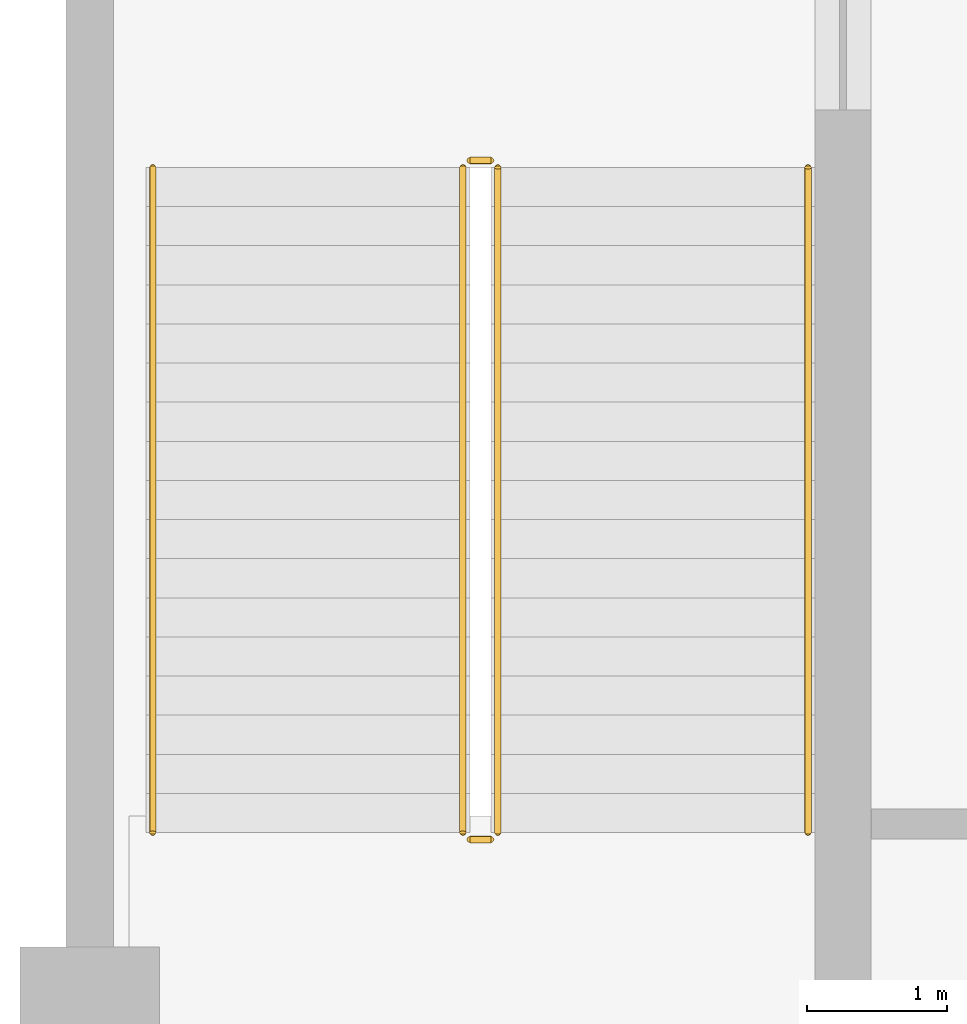
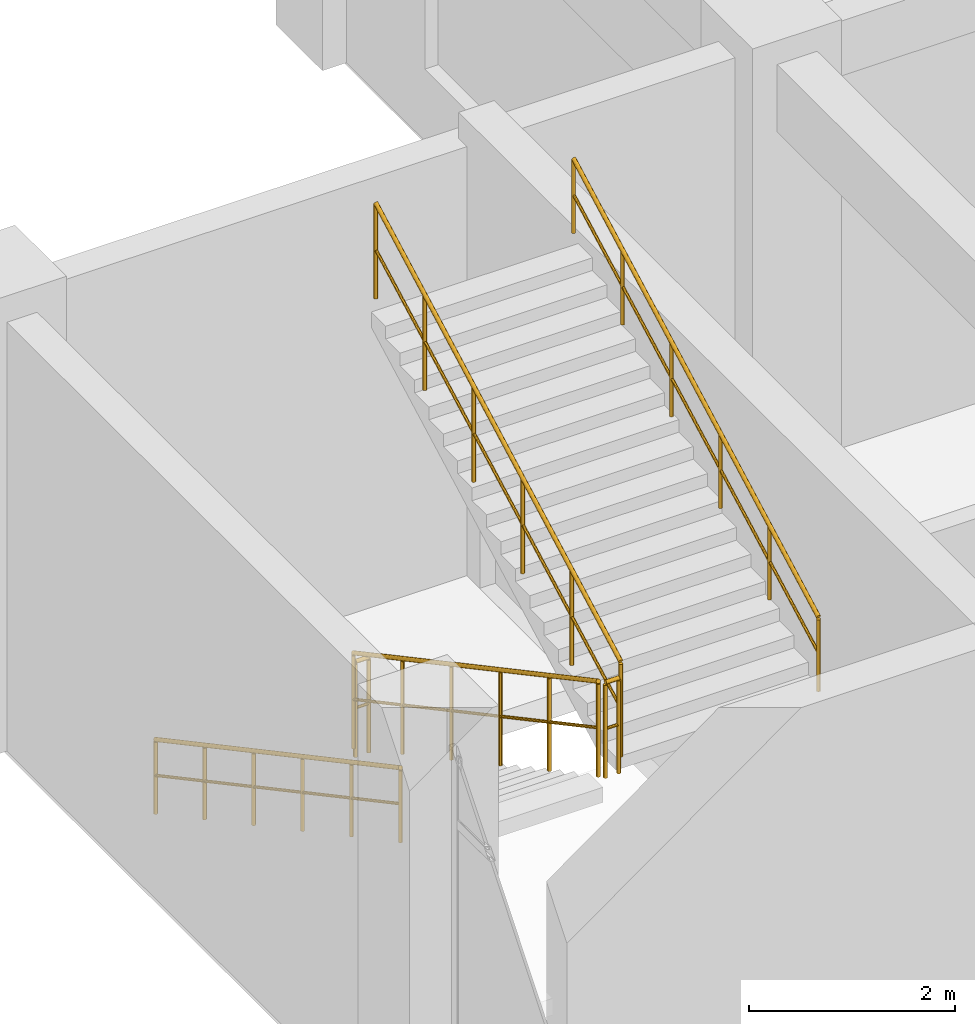
# One storey, part 103 of 114: 6 railings.
"""IFC4 building model written with IfcOpenShell, lengths in metres."""

from ifc_helpers import new_model, si_unit, derived_unit, direction, frame, origin, origin_2d, place, context, subcontext, project, spatial, circle, extrude, material, type_object, element, save


model = new_model("IFC4")

# Units and contexts
model_context = context("Model", 3, precision=1e-05, world=origin(), true_north=direction((0.0, 1.0)))
body_context = subcontext(model_context, "Body", "Model", "MODEL_VIEW")
ifc_project = project(units=[si_unit("LENGTHUNIT", "METRE"), si_unit("AREAUNIT", "SQUARE_METRE"), si_unit("VOLUMEUNIT", "CUBIC_METRE"), si_unit("PLANEANGLEUNIT", "RADIAN"), si_unit("MASSUNIT", "GRAM", prefix="KILO"), derived_unit("THERMALTRANSMITTANCEUNIT", [(si_unit("MASSUNIT", "GRAM", prefix="KILO"), 1), (si_unit("TIMEUNIT", "SECOND"), -3), (si_unit("THERMODYNAMICTEMPERATUREUNIT", "KELVIN"), -1)])], contexts=[model_context])

# Site, building, storey
site_placement = place(None, origin())
site = spatial("IfcSite", under=ifc_project, at=site_placement, CompositionType="ELEMENT")
building_placement = place(site_placement, origin())
building = spatial("IfcBuilding", under=site, at=building_placement, Name="Qinzheling Arcade Emporium", CompositionType="ELEMENT")
storey_placement = place(building_placement, frame((0.0, 0.0, 6.0)))
storey = spatial("IfcBuildingStorey", under=building, at=storey_placement, Name="L02", CompositionType="ELEMENT", Elevation=6.0)

# Railings
ifc_material_1 = material(Name="Galvanised powder-coated tubular steel", Category="steel")
railing_type_1 = type_object("IfcRailingType", Name="Painted Steel Stairwell Guard Railing 1150", PredefinedType="GUARDRAIL", material=ifc_material_1)
railing_1_placement = place(storey_placement, frame((2.669921875, 39.679931640625, 0.14990234375)))
element("IfcRailing", 1, at=railing_1_placement, inside=storey, type_object=railing_type_1, Name="L02 ST02 stair guard 1", PredefinedType="GUARDRAIL", context=body_context, shape_type="SweptSolid", body=[
    extrude(circle(Radius=0.02392578125, at=origin_2d()), frame((0.0, 0.0, 1.1259765625), z_axis=(0.0, -0.881476609435, 0.47222768557), x_axis=(1.0, 0.0, 0.0)), (0.0, 0.0, 1.0), 5.400146484375),
    extrude(circle(Radius=0.01611328125, at=origin_2d()), frame((0.0, 0.0, 0.574951171875), z_axis=(0.0, -0.881476609435, 0.47222768557), x_axis=(1.0, 0.0, 0.0)), (0.0, 0.0, 1.0), 5.400146484375),
    extrude(circle(Radius=0.02099609375, at=origin_2d()), origin(), (0.0, 0.0, 1.0), 1.101806640625),
    extrude(circle(Radius=0.02099609375, at=origin_2d()), frame((0.0, -0.951904296875, 0.510009765625)), (0.0, 0.0, 1.0), 1.101806640625),
    extrude(circle(Radius=0.02099609375, at=origin_2d()), frame((0.0, -1.904052734375, 1.02001953125)), (0.0, 0.0, 1.0), 1.101806640625),
    extrude(circle(Radius=0.02099609375, at=origin_2d()), frame((0.0, -2.85595703125, 1.530029296875)), (0.0, 0.0, 1.0), 1.101806640625),
    extrude(circle(Radius=0.02099609375, at=origin_2d()), frame((0.0, -3.80810546875, 2.0400390625)), (0.0, 0.0, 1.0), 1.101806640625),
    extrude(circle(Radius=0.02099609375, at=origin_2d()), frame((0.0, -4.760009765625, 2.550048828125)), (0.0, 0.0, 1.0), 1.101806640625),
])
railing_2_placement = place(storey_placement, frame((2.719970703125, 34.8701171875, 2.699951171875)))
element("IfcRailing", 2, at=railing_2_placement, inside=storey, type_object=railing_type_1, Name="L02 ST02 stair guard 2", PredefinedType="GUARDRAIL", context=body_context, shape_type="SweptSolid", body=[
    extrude(circle(Radius=0.02392578125, at=origin_2d()), frame((0.0, 0.0, 1.1259765625), z_axis=(1.0, 0.0, 0.0), x_axis=(0.0, 1.0, 0.0)), (0.0, 0.0, 1.0), 0.150146484375),
    extrude(circle(Radius=0.01611328125, at=origin_2d()), frame((0.0, 0.0, 0.574951171875), z_axis=(1.0, 0.0, 0.0), x_axis=(0.0, 1.0, 0.0)), (0.0, 0.0, 1.0), 0.150146484375),
    extrude(circle(Radius=0.02099609375, at=origin_2d()), origin(), (0.0, 0.0, 1.0), 1.101806640625),
    extrude(circle(Radius=0.02099609375, at=origin_2d()), frame((0.150146484375, 0.0, 0.0)), (0.0, 0.0, 1.0), 1.101806640625),
])
railing_3_placement = place(storey_placement, frame((2.919921875, 34.919921875, 2.85009765625)))
element("IfcRailing", 3, at=railing_3_placement, inside=storey, type_object=railing_type_1, Name="L02 ST02 stair guard 3", PredefinedType="GUARDRAIL", context=body_context, shape_type="SweptSolid", body=[
    extrude(circle(Radius=0.02392578125, at=origin_2d()), frame((0.0, 0.0, 1.1259765625), z_axis=(0.0, 0.881495428514, 0.472192555542), x_axis=(-1.0, 0.0, 0.0)), (0.0, 0.0, 1.0), 5.39990234375),
    extrude(circle(Radius=0.01611328125, at=origin_2d()), frame((0.0, 0.0, 0.574951171875), z_axis=(0.0, 0.881495428514, 0.472192555542), x_axis=(-1.0, 0.0, 0.0)), (0.0, 0.0, 1.0), 5.39990234375),
    extrude(circle(Radius=0.02099609375, at=origin_2d()), origin(), (0.0, 0.0, 1.0), 1.101806640625),
    extrude(circle(Radius=0.02099609375, at=origin_2d()), frame((0.0, 0.951904296875, 0.510009765625)), (0.0, 0.0, 1.0), 1.101806640625),
    extrude(circle(Radius=0.02099609375, at=origin_2d()), frame((0.0, 1.904052734375, 1.02001953125)), (0.0, 0.0, 1.0), 1.101806640625),
    extrude(circle(Radius=0.02099609375, at=origin_2d()), frame((0.0, 2.85595703125, 1.52978515625)), (0.0, 0.0, 1.0), 1.101806640625),
    extrude(circle(Radius=0.02099609375, at=origin_2d()), frame((0.0, 3.80810546875, 2.039794921875)), (0.0, 0.0, 1.0), 1.101806640625),
    extrude(circle(Radius=0.02099609375, at=origin_2d()), frame((0.0, 4.760009765625, 2.5498046875)), (0.0, 0.0, 1.0), 1.101806640625),
])
railing_4_placement = place(storey_placement, frame((2.719970703125, 39.72998046875, 0.0)))
element("IfcRailing", 4, at=railing_4_placement, inside=storey, type_object=railing_type_1, Name="L02 ST02 stair guard 4", PredefinedType="GUARDRAIL", context=body_context, shape_type="SweptSolid", body=[
    extrude(circle(Radius=0.02392578125, at=origin_2d()), frame((0.0, 0.0, 1.1259765625), z_axis=(1.0, 0.0, 0.0), x_axis=(0.0, 1.0, 0.0)), (0.0, 0.0, 1.0), 0.150146484375),
    extrude(circle(Radius=0.01611328125, at=origin_2d()), frame((0.0, 0.0, 0.574951171875), z_axis=(1.0, 0.0, 0.0), x_axis=(0.0, 1.0, 0.0)), (0.0, 0.0, 1.0), 0.150146484375),
    extrude(circle(Radius=0.02099609375, at=origin_2d()), origin(), (0.0, 0.0, 1.0), 1.101806640625),
    extrude(circle(Radius=0.02099609375, at=origin_2d()), frame((0.150146484375, 0.0, 0.0)), (0.0, 0.0, 1.0), 1.101806640625),
])
ifc_material_2 = material(Name="Brushed stainless steel 304", Category="steel")
railing_type_2 = type_object("IfcRailingType", Name="Stainless Steel Wall Handrail 900", PredefinedType="HANDRAIL", material=ifc_material_2)
railing_5_placement = place(storey_placement, frame((0.449951171875, 39.679931640625, 0.14990234375)))
element("IfcRailing", 5, at=railing_5_placement, inside=storey, type_object=railing_type_2, Name="L02 ST02 stair handrail 1", PredefinedType="HANDRAIL", context=body_context, shape_type="SweptSolid", body=[
    extrude(circle(Radius=0.02392578125, at=origin_2d()), frame((0.0, 0.0, 0.8759765625), z_axis=(0.0, -0.881476609435, 0.47222768557), x_axis=(1.0, 0.0, 0.0)), (0.0, 0.0, 1.0), 5.400146484375),
    extrude(circle(Radius=0.01611328125, at=origin_2d()), frame((0.0, 0.0, 0.449951171875), z_axis=(0.0, -0.881476609435, 0.47222768557), x_axis=(1.0, 0.0, 0.0)), (0.0, 0.0, 1.0), 5.400146484375),
    extrude(circle(Radius=0.02099609375, at=origin_2d()), origin(), (0.0, 0.0, 1.0), 0.851806640625),
    extrude(circle(Radius=0.02099609375, at=origin_2d()), frame((0.0, -0.951904296875, 0.510009765625)), (0.0, 0.0, 1.0), 0.851806640625),
    extrude(circle(Radius=0.02099609375, at=origin_2d()), frame((0.0, -1.904052734375, 1.02001953125)), (0.0, 0.0, 1.0), 0.851806640625),
    extrude(circle(Radius=0.02099609375, at=origin_2d()), frame((0.0, -2.85595703125, 1.530029296875)), (0.0, 0.0, 1.0), 0.851806640625),
    extrude(circle(Radius=0.02099609375, at=origin_2d()), frame((0.0, -3.80810546875, 2.0400390625)), (0.0, 0.0, 1.0), 0.851806640625),
    extrude(circle(Radius=0.02099609375, at=origin_2d()), frame((0.0, -4.760009765625, 2.550048828125)), (0.0, 0.0, 1.0), 0.851806640625),
])
railing_6_placement = place(storey_placement, frame((5.139892578125, 34.919921875, 2.85009765625)))
element("IfcRailing", 6, at=railing_6_placement, inside=storey, type_object=railing_type_2, Name="L02 ST02 stair handrail 2", PredefinedType="HANDRAIL", context=body_context, shape_type="SweptSolid", body=[
    extrude(circle(Radius=0.02392578125, at=origin_2d()), frame((0.0, 0.0, 0.8759765625), z_axis=(0.0, 0.881495428514, 0.472192555542), x_axis=(-1.0, 0.0, 0.0)), (0.0, 0.0, 1.0), 5.39990234375),
    extrude(circle(Radius=0.01611328125, at=origin_2d()), frame((0.0, 0.0, 0.449951171875), z_axis=(0.0, 0.881495428514, 0.472192555542), x_axis=(-1.0, 0.0, 0.0)), (0.0, 0.0, 1.0), 5.39990234375),
    extrude(circle(Radius=0.02099609375, at=origin_2d()), origin(), (0.0, 0.0, 1.0), 0.851806640625),
    extrude(circle(Radius=0.02099609375, at=origin_2d()), frame((0.0, 0.951904296875, 0.510009765625)), (0.0, 0.0, 1.0), 0.851806640625),
    extrude(circle(Radius=0.02099609375, at=origin_2d()), frame((0.0, 1.904052734375, 1.02001953125)), (0.0, 0.0, 1.0), 0.851806640625),
    extrude(circle(Radius=0.02099609375, at=origin_2d()), frame((0.0, 2.85595703125, 1.52978515625)), (0.0, 0.0, 1.0), 0.851806640625),
    extrude(circle(Radius=0.02099609375, at=origin_2d()), frame((0.0, 3.80810546875, 2.039794921875)), (0.0, 0.0, 1.0), 0.851806640625),
    extrude(circle(Radius=0.02099609375, at=origin_2d()), frame((0.0, 4.760009765625, 2.5498046875)), (0.0, 0.0, 1.0), 0.851806640625),
])

save(model, "model.ifc")
